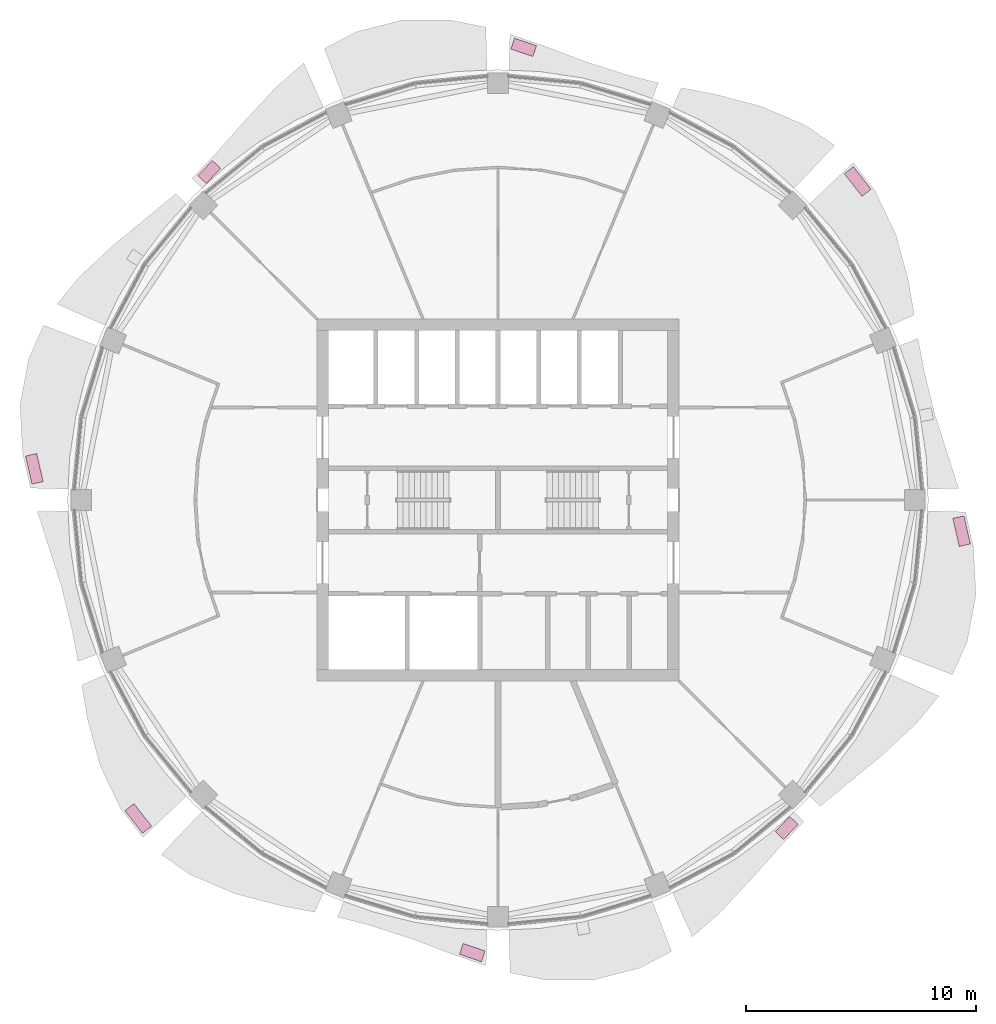
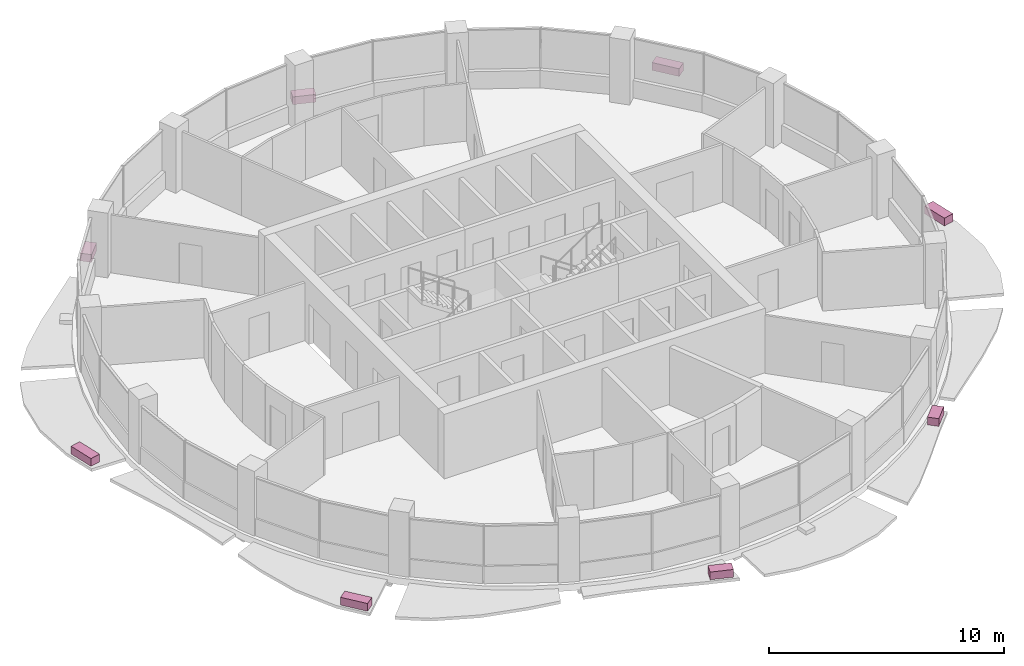
# One storey, part 15 of 15: 8 furniture elements.
"""IFC4 building model written with IfcOpenShell, lengths in metres."""

from ifc_helpers import new_model, si_unit, direction, frame, origin, origin_2d, place, context, subcontext, project, spatial, rectangle, extrude, material, type_object, element, save


model = new_model("IFC4")

# Units and contexts
model_context = context("Model", 3, precision=1e-05, world=origin(), true_north=direction((0.0, 1.0)))
body_context = subcontext(model_context, "Body", "Model", "MODEL_VIEW")
ifc_project = project(units=[si_unit("LENGTHUNIT", "METRE"), si_unit("AREAUNIT", "SQUARE_METRE"), si_unit("VOLUMEUNIT", "CUBIC_METRE"), si_unit("PLANEANGLEUNIT", "RADIAN"), si_unit("MASSUNIT", "GRAM", prefix="KILO")], contexts=[model_context])

# Site, building, storey
site_placement = place(None, origin())
site = spatial("IfcSite", under=ifc_project, at=site_placement, CompositionType="ELEMENT")
building_placement = place(site_placement, origin())
building = spatial("IfcBuilding", under=site, at=building_placement, Name="Polderwave Tower", CompositionType="ELEMENT")
storey_placement = place(building_placement, frame((0.0, 0.0, 167.550048828125)))
storey = spatial("IfcBuildingStorey", under=building, at=storey_placement, Name="L44", CompositionType="ELEMENT", Elevation=167.550048828125)

# Furniture
ifc_material = material(Name="Terracotta", Category="masonry")
furniture_type = type_object("IfcFurnitureType", Name="Terracotta planting trough", AssemblyPlace="NOTDEFINED", PredefinedType="USERDEFINED", material=ifc_material)
furniture_1_placement = place(storey_placement, frame((15.62841796875, 13.835693359375, -0.199951171875), z_axis=(0.0, 0.0, 1.0), x_axis=(-0.616505579319, 0.787350538622, 0.0)))
element("IfcFurniture", 1, at=furniture_1_placement, inside=storey, type_object=furniture_type, Name="Planting trough L44 2", ObjectType="PLANTER", PredefinedType="USERDEFINED", context=body_context, shape_type="SweptSolid", body=[
    extrude(rectangle(XDim=1.245849609375, YDim=0.5, at=origin_2d()), origin(), (0.0, 0.0, 1.0), 0.39990234375),
])
furniture_2_placement = place(storey_placement, frame((1.116943359375, 19.663330078125, -0.199951171875), z_axis=(0.0, 0.0, 1.0), x_axis=(-0.945865789007, 0.324558021293, 0.0)))
element("IfcFurniture", 2, at=furniture_2_placement, inside=storey, type_object=furniture_type, Name="Planting trough L44 4", ObjectType="PLANTER", PredefinedType="USERDEFINED", context=body_context, shape_type="SweptSolid", body=[
    extrude(rectangle(XDim=1.010986328125, YDim=0.5, at=origin_2d()), origin(), (0.0, 0.0, 1.0), 0.39990234375),
])
furniture_3_placement = place(storey_placement, frame((-12.544189453125, 14.25048828125, -0.199951171875), z_axis=(0.0, 0.0, 1.0), x_axis=(-0.687258686854, -0.726412759623, 0.0)))
element("IfcFurniture", 3, at=furniture_3_placement, inside=storey, type_object=furniture_type, Name="Planting trough L44 6", ObjectType="PLANTER", PredefinedType="USERDEFINED", context=body_context, shape_type="SweptSolid", body=[
    extrude(rectangle(XDim=0.91162109375, YDim=0.5, at=origin_2d()), origin(), (0.0, 0.0, 1.0), 0.39990234375),
])
furniture_4_placement = place(storey_placement, frame((-20.142578125, 1.353271484375, -0.199951171875), z_axis=(0.0, 0.0, 1.0), x_axis=(0.220423357061, -0.975404297541, 0.0)))
element("IfcFurniture", 4, at=furniture_4_placement, inside=storey, type_object=furniture_type, Name="Planting trough L44 8", ObjectType="PLANTER", PredefinedType="USERDEFINED", context=body_context, shape_type="SweptSolid", body=[
    extrude(rectangle(XDim=1.254638671875, YDim=0.5, at=origin_2d()), origin(), (0.0, 0.0, 1.0), 0.39990234375),
])
furniture_5_placement = place(storey_placement, frame((-15.62841796875, -13.835693359375, -0.199951171875), z_axis=(0.0, 0.0, 1.0), x_axis=(0.616505579319, -0.787350538622, 0.0)))
element("IfcFurniture", 5, at=furniture_5_placement, inside=storey, type_object=furniture_type, Name="Planting trough L44 10", ObjectType="PLANTER", PredefinedType="USERDEFINED", context=body_context, shape_type="SweptSolid", body=[
    extrude(rectangle(XDim=1.245849609375, YDim=0.5, at=origin_2d()), origin(), (0.0, 0.0, 1.0), 0.39990234375),
])
furniture_6_placement = place(storey_placement, frame((-1.116943359375, -19.663330078125, -0.199951171875), z_axis=(0.0, 0.0, 1.0), x_axis=(0.945865789007, -0.324558021293, 0.0)))
element("IfcFurniture", 6, at=furniture_6_placement, inside=storey, type_object=furniture_type, Name="Planting trough L44 12", ObjectType="PLANTER", PredefinedType="USERDEFINED", context=body_context, shape_type="SweptSolid", body=[
    extrude(rectangle(XDim=1.010986328125, YDim=0.5, at=origin_2d()), origin(), (0.0, 0.0, 1.0), 0.39990234375),
])
furniture_7_placement = place(storey_placement, frame((12.544189453125, -14.25048828125, -0.199951171875), z_axis=(0.0, 0.0, 1.0), x_axis=(0.687258686854, 0.726412759623, 0.0)))
element("IfcFurniture", 7, at=furniture_7_placement, inside=storey, type_object=furniture_type, Name="Planting trough L44 14", ObjectType="PLANTER", PredefinedType="USERDEFINED", context=body_context, shape_type="SweptSolid", body=[
    extrude(rectangle(XDim=0.91162109375, YDim=0.5, at=origin_2d()), origin(), (0.0, 0.0, 1.0), 0.39990234375),
])
furniture_8_placement = place(storey_placement, frame((20.142578125, -1.353271484375, -0.199951171875), z_axis=(0.0, 0.0, 1.0), x_axis=(-0.220423357061, 0.975404297541, 0.0)))
element("IfcFurniture", 8, at=furniture_8_placement, inside=storey, type_object=furniture_type, Name="Planting trough L44 16", ObjectType="PLANTER", PredefinedType="USERDEFINED", context=body_context, shape_type="SweptSolid", body=[
    extrude(rectangle(XDim=1.254638671875, YDim=0.5, at=origin_2d()), origin(), (0.0, 0.0, 1.0), 0.39990234375),
])

save(model, "model.ifc")
